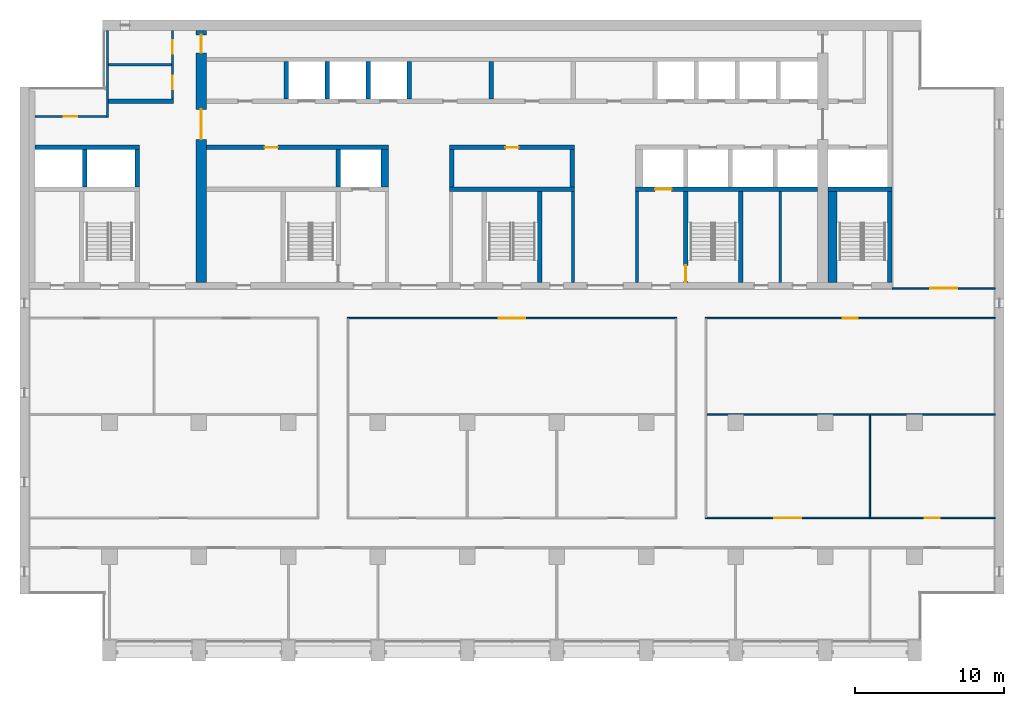
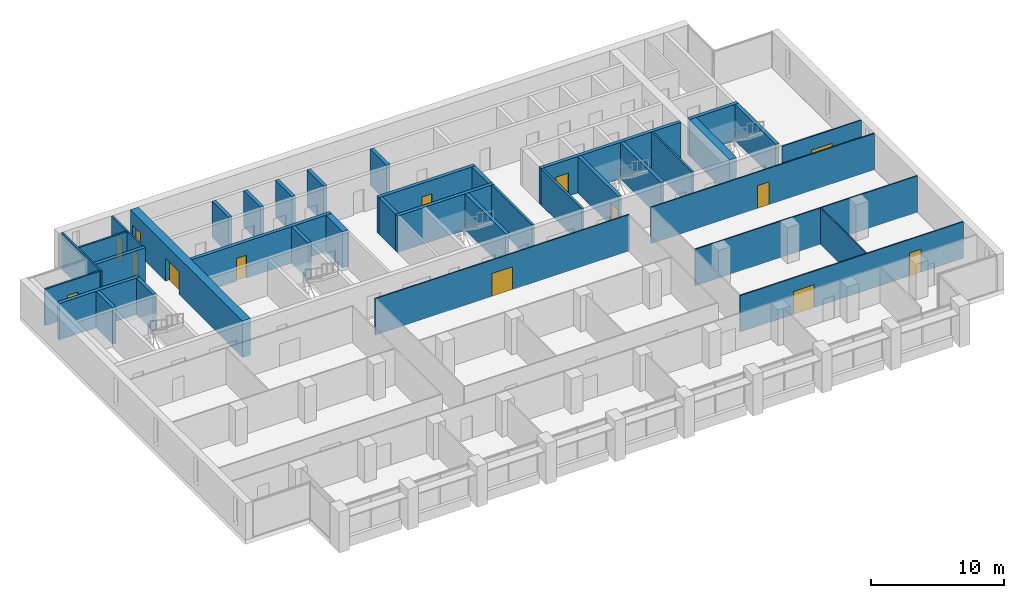
# One storey, part 10 of 17: 37 walls, 14 doors, 14 openings.
"""IFC4 building model written with IfcOpenShell, lengths in metres."""

from ifc_helpers import new_model, si_unit, direction, frame, frame_2d, origin, place, context, subcontext, project, spatial, rectangle, extrude, material, layer, layer_set, type_object, element, fill, save


model = new_model("IFC4")

# Units and contexts
model_context = context("Model", 3, precision=1e-05, world=origin(), true_north=direction((0.0, 1.0)))
body_context = subcontext(model_context, "Body", "Model", "MODEL_VIEW")
ifc_project = project(units=[si_unit("LENGTHUNIT", "METRE"), si_unit("AREAUNIT", "SQUARE_METRE"), si_unit("VOLUMEUNIT", "CUBIC_METRE"), si_unit("PLANEANGLEUNIT", "RADIAN"), si_unit("MASSUNIT", "GRAM", prefix="KILO")], contexts=[model_context])

# Site, building, storey
site_placement = place(None, origin())
site = spatial("IfcSite", under=ifc_project, at=site_placement, CompositionType="ELEMENT")
building_placement = place(site_placement, origin())
building = spatial("IfcBuilding", under=site, at=building_placement, Name="Calvaro Tower", CompositionType="ELEMENT")
storey_placement = place(building_placement, frame((0.0, 0.0, 200.5)))
storey = spatial("IfcBuildingStorey", under=building, at=storey_placement, Name="L50", CompositionType="ELEMENT", Elevation=200.5)

# Walls
ifc_material_1 = material(Name="Blockwork partition", Category="masonry")
ifc_layer_1 = layer(ifc_material_1, 0.14990234375)
ifc_layer_set_1 = layer_set([ifc_layer_1], Name="Blockwork partition")
wall_type_1 = type_object("IfcWallType", Name="Core partition 150 EI 60", PredefinedType="PARTITIONING", material=ifc_layer_set_1)
wall_1_placement = place(storey_placement, frame((57.0, 28.39990234375, 0.0), z_axis=(0.0, 0.0, 1.0), x_axis=(0.0, 1.0, 0.0)))
element("IfcWall", 1, at=wall_1_placement, inside=storey, type_object=wall_type_1, Name="Core partition", PredefinedType="PARTITIONING", context=body_context, shape_type="SweptSolid", body=[
    extrude(rectangle(XDim=6.10009765625, YDim=0.14990234375, at=frame_2d((3.050048828125, 0.0))), origin(), (0.0, 0.0, 1.0), 3.35009765625),
])
wall_2_placement = place(storey_placement, frame((11.949951171875, 43.0, 0.0), z_axis=(0.0, 0.0, 1.0), x_axis=(1.0, 0.0, 0.0)))
element("IfcWall", 2, at=wall_2_placement, inside=storey, type_object=wall_type_1, Name="Core partition", PredefinedType="PARTITIONING", context=body_context, shape_type="SweptSolid", body=[
    extrude(rectangle(XDim=4.199951171875, YDim=0.14990234375, at=frame_2d((2.10009765625, 0.0))), origin(), (0.0, 0.0, 1.0), 3.35009765625),
])

# Wall, openings, doors
ifc_material_2 = material(Name="Blockwork partition", Category="masonry")
ifc_layer_2 = layer(ifc_material_2, 0.14990234375)
ifc_layer_set_2 = layer_set([ifc_layer_2], Name="Blockwork partition")
wall_type_2 = type_object("IfcWallType", Name="Core partition 150 REI 120", PredefinedType="PARTITIONING", material=ifc_layer_set_2)
wall_3_placement = place(storey_placement, frame((16.22509765625, 45.300048828125, 0.0), z_axis=(0.0, 0.0, 1.0), x_axis=(0.0, -1.0, 0.0)))
wall_3 = element("IfcWall", 3, at=wall_3_placement, inside=storey, type_object=wall_type_2, Name="Core partition", PredefinedType="PARTITIONING", context=body_context, shape_type="SweptSolid", body=[
    extrude(rectangle(XDim=4.60009765625, YDim=0.14990234375, at=frame_2d((2.300048828125, 0.0))), origin(), (0.0, 0.0, 1.0), 3.35009765625),
])
opening_1_placement = place(wall_3_placement, frame((3.03759765625, 0.0, 0.0)))
opening_1 = element("IfcOpeningElement", 4, at=opening_1_placement, cuts=wall_3, Name="Opening RD9", PredefinedType="OPENING", context=body_context, shape_type="SweptSolid", body=[
    extrude(rectangle(XDim=0.89990234375, YDim=2.10009765625, at=frame_2d((0.449951171875, 1.050048828125))), frame((0.0, 0.0849609375, 0.0), z_axis=(0.0, -1.0, 0.0), x_axis=(1.0, 0.0, 0.0)), (0.0, 0.0, 1.0), 0.169921875),
])
opening_2_placement = place(wall_3_placement, frame((0.66259765625, 0.0, 0.0)))
opening_2 = element("IfcOpeningElement", 5, at=opening_2_placement, cuts=wall_3, Name="Opening RD9", PredefinedType="OPENING", context=body_context, shape_type="SweptSolid", body=[
    extrude(rectangle(XDim=0.89990234375, YDim=2.10009765625, at=frame_2d((0.449951171875, 1.050048828125))), frame((0.0, 0.0849609375, 0.0), z_axis=(0.0, -1.0, 0.0), x_axis=(1.0, 0.0, 0.0)), (0.0, 0.0, 1.0), 0.169921875),
])
ifc_material_3 = material(Name="Steel door set", Category="steel")
door_type_1 = type_object("IfcDoorType", Name="Room door 900", OperationType="SINGLE_SWING_LEFT", PredefinedType="DOOR", material=ifc_material_3)
door_1_placement = place(opening_1_placement, origin())
door_1 = element("IfcDoor", 6, at=door_1_placement, inside=storey, type_object=door_type_1, Name="Room door", OperationType="SINGLE_SWING_RIGHT", OverallHeight=2.10009765625, OverallWidth=0.89990234375, PredefinedType="DOOR", context=body_context, shape_type="SweptSolid", body=[
    extrude(rectangle(XDim=0.89990234375, YDim=2.10009765625, at=frame_2d((0.449951171875, 1.050048828125))), frame((0.0, 0.02490234375, 0.0), z_axis=(0.0, -1.0, 0.0), x_axis=(1.0, 0.0, 0.0)), (0.0, 0.0, 1.0), 0.050048828125),
])
fill(opening_1, door_1)
door_2_placement = place(opening_2_placement, origin())
door_2 = element("IfcDoor", 7, at=door_2_placement, inside=storey, type_object=door_type_1, Name="Room door", OperationType="SINGLE_SWING_RIGHT", OverallHeight=2.10009765625, OverallWidth=0.89990234375, PredefinedType="DOOR", context=body_context, shape_type="SweptSolid", body=[
    extrude(rectangle(XDim=0.89990234375, YDim=2.10009765625, at=frame_2d((0.449951171875, 1.050048828125))), frame((0.0, 0.02490234375, 0.0), z_axis=(0.0, -1.0, 0.0), x_axis=(1.0, 0.0, 0.0)), (0.0, 0.0, 1.0), 0.050048828125),
])
fill(opening_2, door_2)

# Wall
wall_4_placement = place(storey_placement, frame((11.875, 39.449951171875, 0.0), z_axis=(0.0, 0.0, 1.0), x_axis=(0.0, 1.0, 0.0)))
element("IfcWall", 8, at=wall_4_placement, inside=storey, type_object=wall_type_2, Name="Core partition", PredefinedType="PARTITIONING", context=body_context, shape_type="SweptSolid", body=[
    extrude(rectangle(XDim=5.85009765625, YDim=0.14990234375, at=frame_2d((2.925048828125, 0.0))), origin(), (0.0, 0.0, 1.0), 3.35009765625),
])

# Wall, opening, door
wall_5_placement = place(storey_placement, frame((7.0, 39.52490234375, 0.0), z_axis=(0.0, 0.0, 1.0), x_axis=(1.0, 0.0, 0.0)))
wall_5 = element("IfcWall", 9, at=wall_5_placement, inside=storey, type_object=wall_type_2, Name="Core partition", PredefinedType="PARTITIONING", context=body_context, shape_type="SweptSolid", body=[
    extrude(rectangle(XDim=4.800048828125, YDim=0.14990234375, at=frame_2d((2.39990234375, 0.0))), origin(), (0.0, 0.0, 1.0), 3.35009765625),
])
opening_3_placement = place(wall_5_placement, frame((1.949951171875, 0.0, 0.0)))
opening_3 = element("IfcOpeningElement", 10, at=opening_3_placement, cuts=wall_5, Name="Opening RD9", PredefinedType="OPENING", context=body_context, shape_type="SweptSolid", body=[
    extrude(rectangle(XDim=0.89990234375, YDim=2.10009765625, at=frame_2d((0.449951171875, 1.050048828125))), frame((0.0, 0.0849609375, 0.0), z_axis=(0.0, -1.0, 0.0), x_axis=(1.0, 0.0, 0.0)), (0.0, 0.0, 1.0), 0.169921875),
])
door_3_placement = place(opening_3_placement, origin())
door_3 = element("IfcDoor", 11, at=door_3_placement, inside=storey, type_object=door_type_1, Name="Room door", OperationType="SINGLE_SWING_LEFT", OverallHeight=2.10009765625, OverallWidth=0.89990234375, PredefinedType="DOOR", context=body_context, shape_type="SweptSolid", body=[
    extrude(rectangle(XDim=0.89990234375, YDim=2.10009765625, at=frame_2d((0.449951171875, 1.050048828125))), frame((0.0, 0.02490234375, 0.0), z_axis=(0.0, -1.0, 0.0), x_axis=(1.0, 0.0, 0.0)), (0.0, 0.0, 1.0), 0.050048828125),
])
fill(opening_3, door_3)

# Walls
ifc_material_4 = material(Name="Blockwork partition", Category="masonry")
ifc_layer_3 = layer(ifc_material_4, 0.199951171875)
ifc_layer_set_3 = layer_set([ifc_layer_3], Name="Blockwork partition")
wall_type_3 = type_object("IfcWallType", Name="Core partition 200 REI 120", PredefinedType="PARTITIONING", material=ifc_layer_set_3)
for number, where, z_axis, x_axis, name in (
    (12, (43.10009765625, 28.39990234375, 0.0), (0.0, 0.0, 1.0), (0.0, 1.0, 0.0), "Core partition"),
    (13, (47.39990234375, 28.39990234375, 0.0), (0.0, 0.0, 1.0), (0.0, 1.0, 0.0), "Core partition"),
):
    element("IfcWall", number, at=place(storey_placement, frame(where, z_axis=z_axis, x_axis=x_axis)), inside=storey, type_object=wall_type_3, Name=name, PredefinedType="PARTITIONING", context=body_context, shape_type="SweptSolid", body=[
        extrude(rectangle(XDim=6.10009765625, YDim=0.199951171875, at=frame_2d((3.050048828125, 0.0))), origin(), (0.0, 0.0, 1.0), 3.35009765625),
    ])
ifc_material_5 = material(Name="Blockwork partition", Category="masonry")
ifc_layer_4 = layer(ifc_material_5, 0.300048828125)
ifc_layer_set_4 = layer_set([ifc_layer_4], Name="Blockwork partition")
wall_type_4 = type_object("IfcWallType", Name="Core partition 300 EI 60", PredefinedType="PARTITIONING", material=ifc_layer_set_4)
wall_6_placement = place(storey_placement, frame((37.60009765625, 40.699951171875, 0.0), z_axis=(0.0, 0.0, 1.0), x_axis=(0.0, 1.0, 0.0)))
element("IfcWall", 14, at=wall_6_placement, inside=storey, type_object=wall_type_4, Name="Core partition", PredefinedType="PARTITIONING", context=body_context, shape_type="SweptSolid", body=[
    extrude(rectangle(XDim=2.5, YDim=0.300048828125, at=frame_2d((1.25, 0.0))), origin(), (0.0, 0.0, 1.0), 3.35009765625),
])
ifc_material_6 = material(Name="Blockwork partition", Category="masonry")
ifc_layer_5 = layer(ifc_material_6, 0.300048828125)
ifc_layer_set_5 = layer_set([ifc_layer_5], Name="Blockwork partition")
wall_type_5 = type_object("IfcWallType", Name="Core partition 300 REI 120", PredefinedType="PARTITIONING", material=ifc_layer_set_5)
wall_7_placement = place(storey_placement, frame((11.949951171875, 40.550048828125, 0.0), z_axis=(0.0, 0.0, 1.0), x_axis=(1.0, 0.0, 0.0)))
element("IfcWall", 15, at=wall_7_placement, inside=storey, type_object=wall_type_5, Name="Core partition", PredefinedType="PARTITIONING", context=body_context, shape_type="SweptSolid", body=[
    extrude(rectangle(XDim=4.35009765625, YDim=0.300048828125, at=frame_2d((2.175048828125, 0.0))), origin(), (0.0, 0.0, 1.0), 3.35009765625),
])
ifc_material_7 = material(Name="Concrete C50/60", Category="concrete")
ifc_layer_6 = layer(ifc_material_7, 0.300048828125)
ifc_layer_set_6 = layer_set([ifc_layer_6], Name="Concrete C50/60")
wall_type_6 = type_object("IfcWallType", Name="Core wall C50/60 300", PredefinedType="SHEAR", material=ifc_layer_set_6)
wall_8_placement = place(storey_placement, frame((40.85009765625, 28.39990234375, 0.0), z_axis=(0.0, 0.0, 1.0), x_axis=(0.0, 1.0, 0.0)))
element("IfcWall", 16, at=wall_8_placement, inside=storey, type_object=wall_type_6, Name="Core wall, stair enclosure", PredefinedType="SHEAR", context=body_context, shape_type="SweptSolid", body=[
    extrude(rectangle(XDim=6.10009765625, YDim=0.300048828125, at=frame_2d((3.050048828125, 0.0))), origin(), (0.0, 0.0, 1.0), 3.35009765625),
])

# Wall, opening, door
wall_9_placement = place(storey_placement, frame((50.64990234375, 34.5, 0.0), z_axis=(0.0, 0.0, 1.0), x_axis=(0.0, -1.0, 0.0)))
wall_9 = element("IfcWall", 17, at=wall_9_placement, inside=storey, type_object=wall_type_6, Name="Core wall, stair enclosure", PredefinedType="SHEAR", context=body_context, shape_type="SweptSolid", body=[
    extrude(rectangle(XDim=6.10009765625, YDim=0.300048828125, at=frame_2d((3.050048828125, 0.0))), origin(), (0.0, 0.0, 1.0), 3.35009765625),
])
opening_4_placement = place(wall_9_placement, frame((4.949951171875, 0.0, 0.0)))
opening_4 = element("IfcOpeningElement", 18, at=opening_4_placement, cuts=wall_9, Name="Opening FD11D", PredefinedType="OPENING", context=body_context, shape_type="SweptSolid", body=[
    extrude(rectangle(XDim=1.10009765625, YDim=2.10009765625, at=frame_2d((0.550048828125, 1.050048828125))), frame((0.0, 0.159912109375, 0.0), z_axis=(0.0, -1.0, 0.0), x_axis=(1.0, 0.0, 0.0)), (0.0, 0.0, 1.0), 0.320068359375),
])
ifc_material_8 = material(Name="Steel door set", Category="steel")
door_type_2 = type_object("IfcDoorType", Name="Fire door 1100 FD30S", OperationType="SINGLE_SWING_LEFT", PredefinedType="DOOR", material=ifc_material_8)
door_4_placement = place(opening_4_placement, origin())
door_4 = element("IfcDoor", 19, at=door_4_placement, inside=storey, type_object=door_type_2, Name="Fire door", OperationType="SINGLE_SWING_RIGHT", OverallHeight=2.10009765625, OverallWidth=1.10009765625, PredefinedType="DOOR", context=body_context, shape_type="SweptSolid", body=[
    extrude(rectangle(XDim=1.10009765625, YDim=2.10009765625, at=frame_2d((0.550048828125, 1.050048828125))), frame((0.0, 0.02490234375, 0.0), z_axis=(0.0, -1.0, 0.0), x_axis=(1.0, 0.0, 0.0)), (0.0, 0.0, 1.0), 0.050048828125),
])
fill(opening_4, door_4)

# Walls
for number, where, z_axis, x_axis, name in (
    (20, (54.35009765625, 28.39990234375, 0.0), (0.0, 0.0, 1.0), (0.0, 1.0, 0.0), "Core wall, stair enclosure"),
    (21, (64.35009765625, 28.39990234375, 0.0), (0.0, 0.0, 1.0), (0.0, 1.0, 0.0), "Core wall, stair enclosure"),
):
    element("IfcWall", number, at=place(storey_placement, frame(where, z_axis=z_axis, x_axis=x_axis)), inside=storey, type_object=wall_type_6, Name=name, PredefinedType="SHEAR", context=body_context, shape_type="SweptSolid", body=[
        extrude(rectangle(XDim=6.10009765625, YDim=0.300048828125, at=frame_2d((3.050048828125, 0.0))), origin(), (0.0, 0.0, 1.0), 3.35009765625),
    ])
wall_10_placement = place(storey_placement, frame((34.800048828125, 34.64990234375, 0.0), z_axis=(0.0, 0.0, 1.0), x_axis=(1.0, 0.0, 0.0)))
element("IfcWall", 22, at=wall_10_placement, inside=storey, type_object=wall_type_6, Name="Core wall, lift shaft", PredefinedType="SHEAR", context=body_context, shape_type="SweptSolid", body=[
    extrude(rectangle(XDim=8.39990234375, YDim=0.300048828125, at=frame_2d((4.199951171875, 0.0))), origin(), (0.0, 0.0, 1.0), 3.35009765625),
])

# Wall, opening, door
wall_11_placement = place(storey_placement, frame((47.300048828125, 34.64990234375, 0.0), z_axis=(0.0, 0.0, 1.0), x_axis=(1.0, 0.0, 0.0)))
wall_11 = element("IfcWall", 23, at=wall_11_placement, inside=storey, type_object=wall_type_6, Name="Core wall, lift shaft", PredefinedType="SHEAR", context=body_context, shape_type="SweptSolid", body=[
    extrude(rectangle(XDim=12.199951171875, YDim=0.300048828125, at=frame_2d((6.10009765625, 0.0))), origin(), (0.0, 0.0, 1.0), 3.35009765625),
])
opening_5_placement = place(wall_11_placement, frame((1.300048828125, 0.0, 0.0)))
opening_5 = element("IfcOpeningElement", 24, at=opening_5_placement, cuts=wall_11, Name="Opening FF2", PredefinedType="OPENING", context=body_context, shape_type="SweptSolid", body=[
    extrude(rectangle(XDim=1.10009765625, YDim=2.10009765625, at=frame_2d((0.550048828125, 1.050048828125))), frame((0.0, 0.159912109375, 0.0), z_axis=(0.0, -1.0, 0.0), x_axis=(1.0, 0.0, 0.0)), (0.0, 0.0, 1.0), 0.320068359375),
])
ifc_material_9 = material(Name="Stainless steel", Category="steel")
door_type_3 = type_object("IfcDoorType", Name="Landing door 1100 E 60", OperationType="SLIDING_TO_LEFT", PredefinedType="DOOR", material=ifc_material_9)
door_5_placement = place(opening_5_placement, origin())
door_5 = element("IfcDoor", 25, at=door_5_placement, inside=storey, type_object=door_type_3, Name="Landing door FF2", OperationType="SLIDING_TO_LEFT", OverallHeight=2.10009765625, OverallWidth=1.10009765625, PredefinedType="DOOR", context=body_context, shape_type="SweptSolid", body=[
    extrude(rectangle(XDim=1.10009765625, YDim=2.10009765625, at=frame_2d((0.550048828125, 1.050048828125))), frame((0.0, 0.02490234375, 0.0), z_axis=(0.0, -1.0, 0.0), x_axis=(1.0, 0.0, 0.0)), (0.0, 0.0, 1.0), 0.050048828125),
])
fill(opening_5, door_5)

# Walls
wall_12_placement = place(storey_placement, frame((60.199951171875, 34.64990234375, 0.0), z_axis=(0.0, 0.0, 1.0), x_axis=(1.0, 0.0, 0.0)))
element("IfcWall", 26, at=wall_12_placement, inside=storey, type_object=wall_type_6, Name="Core wall, lift shaft", PredefinedType="SHEAR", context=body_context, shape_type="SweptSolid", body=[
    extrude(rectangle(XDim=4.300048828125, YDim=0.300048828125, at=frame_2d((2.14990234375, 0.0))), origin(), (0.0, 0.0, 1.0), 3.35009765625),
])
wall_13_placement = place(storey_placement, frame((7.0, 37.449951171875, 0.0), z_axis=(0.0, 0.0, 1.0), x_axis=(1.0, 0.0, 0.0)))
element("IfcWall", 27, at=wall_13_placement, inside=storey, type_object=wall_type_6, Name="Core wall, lift shaft", PredefinedType="SHEAR", context=body_context, shape_type="SweptSolid", body=[
    extrude(rectangle(XDim=7.0, YDim=0.300048828125, at=frame_2d((3.5, 0.0))), origin(), (0.0, 0.0, 1.0), 3.35009765625),
])

# Wall, opening, door
wall_14_placement = place(storey_placement, frame((30.699951171875, 37.449951171875, 0.0), z_axis=(0.0, 0.0, 1.0), x_axis=(-1.0, 0.0, 0.0)))
wall_14 = element("IfcWall", 28, at=wall_14_placement, inside=storey, type_object=wall_type_6, Name="Core wall, bay", PredefinedType="SHEAR", context=body_context, shape_type="SweptSolid", body=[
    extrude(rectangle(XDim=12.199951171875, YDim=0.300048828125, at=frame_2d((6.10009765625, 0.0))), origin(), (0.0, 0.0, 1.0), 3.35009765625),
])
opening_6_placement = place(wall_14_placement, frame((7.39990234375, 0.0, 0.0)))
opening_6 = element("IfcOpeningElement", 29, at=opening_6_placement, cuts=wall_14, Name="Opening RD9E", PredefinedType="OPENING", context=body_context, shape_type="SweptSolid", body=[
    extrude(rectangle(XDim=0.89990234375, YDim=2.10009765625, at=frame_2d((0.449951171875, 1.050048828125))), frame((0.0, 0.159912109375, 0.0), z_axis=(0.0, -1.0, 0.0), x_axis=(1.0, 0.0, 0.0)), (0.0, 0.0, 1.0), 0.320068359375),
])
ifc_material_10 = material(Name="Steel door set", Category="steel")
door_type_4 = type_object("IfcDoorType", Name="Room door 900 FD60", OperationType="SINGLE_SWING_LEFT", PredefinedType="DOOR", material=ifc_material_10)
door_6_placement = place(opening_6_placement, origin())
door_6 = element("IfcDoor", 30, at=door_6_placement, inside=storey, type_object=door_type_4, Name="Room door", OperationType="SINGLE_SWING_LEFT", OverallHeight=2.10009765625, OverallWidth=0.89990234375, PredefinedType="DOOR", context=body_context, shape_type="SweptSolid", body=[
    extrude(rectangle(XDim=0.89990234375, YDim=2.10009765625, at=frame_2d((0.449951171875, 1.050048828125))), frame((0.0, 0.02490234375, 0.0), z_axis=(0.0, -1.0, 0.0), x_axis=(1.0, 0.0, 0.0)), (0.0, 0.0, 1.0), 0.050048828125),
])
fill(opening_6, door_6)

wall_15_placement = place(storey_placement, frame((43.199951171875, 37.449951171875, 0.0), z_axis=(0.0, 0.0, 1.0), x_axis=(-1.0, 0.0, 0.0)))
wall_15 = element("IfcWall", 31, at=wall_15_placement, inside=storey, type_object=wall_type_6, Name="Core wall, bay", PredefinedType="SHEAR", context=body_context, shape_type="SweptSolid", body=[
    extrude(rectangle(XDim=8.39990234375, YDim=0.300048828125, at=frame_2d((4.199951171875, 0.0))), origin(), (0.0, 0.0, 1.0), 3.35009765625),
])
opening_7_placement = place(wall_15_placement, frame((3.75, 0.0, 0.0)))
opening_7 = element("IfcOpeningElement", 32, at=opening_7_placement, cuts=wall_15, Name="Opening RD9E", PredefinedType="OPENING", context=body_context, shape_type="SweptSolid", body=[
    extrude(rectangle(XDim=0.89990234375, YDim=2.10009765625, at=frame_2d((0.449951171875, 1.050048828125))), frame((0.0, 0.159912109375, 0.0), z_axis=(0.0, -1.0, 0.0), x_axis=(1.0, 0.0, 0.0)), (0.0, 0.0, 1.0), 0.320068359375),
])
door_7_placement = place(opening_7_placement, origin())
door_7 = element("IfcDoor", 33, at=door_7_placement, inside=storey, type_object=door_type_4, Name="Room door", OperationType="SINGLE_SWING_RIGHT", OverallHeight=2.10009765625, OverallWidth=0.89990234375, PredefinedType="DOOR", context=body_context, shape_type="SweptSolid", body=[
    extrude(rectangle(XDim=0.89990234375, YDim=2.10009765625, at=frame_2d((0.449951171875, 1.050048828125))), frame((0.0, 0.02490234375, 0.0), z_axis=(0.0, -1.0, 0.0), x_axis=(1.0, 0.0, 0.0)), (0.0, 0.0, 1.0), 0.050048828125),
])
fill(opening_7, door_7)

# Walls
for number, where, z_axis, x_axis, name in (
    (34, (27.35009765625, 34.800048828125, 0.0), (0.0, 0.0, 1.0), (0.0, 1.0, 0.0), "Core wall, lift shaft"),
    (35, (34.949951171875, 34.800048828125, 0.0), (0.0, 0.0, 1.0), (0.0, 1.0, 0.0), "Core wall, lift shaft"),
    (36, (43.050048828125, 34.800048828125, 0.0), (0.0, 0.0, 1.0), (0.0, 1.0, 0.0), "Core wall, lift shaft"),
    (37, (13.85009765625, 34.800048828125, 0.0), (0.0, 0.0, 1.0), (0.0, 1.0, 0.0), "Core wall, lift shaft"),
    (38, (23.85009765625, 40.699951171875, 0.0), (0.0, 0.0, 1.0), (0.0, 1.0, 0.0), "Core wall, lift shaft"),
    (39, (26.60009765625, 40.699951171875, 0.0), (0.0, 0.0, 1.0), (0.0, 1.0, 0.0), "Core wall, lift shaft"),
    (40, (29.35009765625, 40.699951171875, 0.0), (0.0, 0.0, 1.0), (0.0, 1.0, 0.0), "Core wall, lift shaft"),
    (41, (32.10009765625, 40.699951171875, 0.0), (0.0, 0.0, 1.0), (0.0, 1.0, 0.0), "Core wall, lift shaft"),
    (42, (10.35009765625, 34.800048828125, 0.0), (0.0, 0.0, 1.0), (0.0, 1.0, 0.0), "Core wall, lift shaft"),
):
    element("IfcWall", number, at=place(storey_placement, frame(where, z_axis=z_axis, x_axis=x_axis)), inside=storey, type_object=wall_type_6, Name=name, PredefinedType="SHEAR", context=body_context, shape_type="SweptSolid", body=[
        extrude(rectangle(XDim=2.5, YDim=0.300048828125, at=frame_2d((1.25, 0.0))), origin(), (0.0, 0.0, 1.0), 3.35009765625),
    ])
ifc_material_11 = material(Name="Concrete C50/60", Category="concrete")
ifc_layer_7 = layer(ifc_material_11, 0.5)
ifc_layer_set_7 = layer_set([ifc_layer_7], Name="Concrete C50/60")
wall_type_7 = type_object("IfcWallType", Name="Core wall C50/60 500", PredefinedType="SHEAR", material=ifc_layer_set_7)
wall_16_placement = place(storey_placement, frame((30.449951171875, 34.800048828125, 0.0), z_axis=(0.0, 0.0, 1.0), x_axis=(0.0, 1.0, 0.0)))
element("IfcWall", 43, at=wall_16_placement, inside=storey, type_object=wall_type_7, Name="Core wall, lift shaft", PredefinedType="SHEAR", context=body_context, shape_type="SweptSolid", body=[
    extrude(rectangle(XDim=2.5, YDim=0.5, at=frame_2d((1.25, 0.0))), origin(), (0.0, 0.0, 1.0), 3.35009765625),
])
ifc_material_12 = material(Name="Concrete C50/60", Category="concrete")
ifc_layer_8 = layer(ifc_material_12, 0.60009765625)
ifc_layer_set_8 = layer_set([ifc_layer_8], Name="Concrete C50/60")
wall_type_8 = type_object("IfcWallType", Name="Core wall C50/60 600", PredefinedType="SHEAR", material=ifc_layer_set_8)
wall_17_placement = place(storey_placement, frame((60.5, 28.39990234375, 0.0), z_axis=(0.0, 0.0, 1.0), x_axis=(0.0, 1.0, 0.0)))
element("IfcWall", 44, at=wall_17_placement, inside=storey, type_object=wall_type_8, Name="Core wall, stair enclosure", PredefinedType="SHEAR", context=body_context, shape_type="SweptSolid", body=[
    extrude(rectangle(XDim=6.10009765625, YDim=0.60009765625, at=frame_2d((3.050048828125, 0.0))), origin(), (0.0, 0.0, 1.0), 3.35009765625),
])

# Wall, openings, doors
ifc_material_13 = material(Name="Concrete C50/60", Category="concrete")
ifc_layer_9 = layer(ifc_material_13, 0.699951171875)
ifc_layer_set_9 = layer_set([ifc_layer_9], Name="Concrete C50/60")
wall_type_9 = type_object("IfcWallType", Name="Core wall C50/60 700", PredefinedType="SHEAR", material=ifc_layer_set_9)
wall_18_placement = place(storey_placement, frame((18.14990234375, 28.39990234375, 0.0), z_axis=(0.0, 0.0, 1.0), x_axis=(0.0, 1.0, 0.0)))
wall_18 = element("IfcWall", 45, at=wall_18_placement, inside=storey, type_object=wall_type_9, Name="Core wall, cross shear wall", PredefinedType="SHEAR", context=body_context, shape_type="SweptSolid", body=[
    extrude(rectangle(XDim=16.900146484375, YDim=0.699951171875, at=frame_2d((8.4501953125, 0.0))), origin(), (0.0, 0.0, 1.0), 3.35009765625),
])
opening_8_placement = place(wall_18_placement, frame((9.60009765625, 0.0, 0.0)))
opening_8 = element("IfcOpeningElement", 46, at=opening_8_placement, cuts=wall_18, Name="Opening DD20D", PredefinedType="OPENING", context=body_context, shape_type="SweptSolid", body=[
    extrude(rectangle(XDim=2.0, YDim=2.10009765625, at=frame_2d((1.0, 1.050048828125))), frame((0.0, 0.35986328125, 0.0), z_axis=(0.0, -1.0, 0.0), x_axis=(1.0, 0.0, 0.0)), (0.0, 0.0, 1.0), 0.719970703125),
])
opening_9_placement = place(wall_18_placement, frame((15.39990234375, 0.0, 0.0)))
opening_9 = element("IfcOpeningElement", 47, at=opening_9_placement, cuts=wall_18, Name="Opening FD12C", PredefinedType="OPENING", context=body_context, shape_type="SweptSolid", body=[
    extrude(rectangle(XDim=1.199951171875, YDim=2.10009765625, at=frame_2d((0.60009765625, 1.050048828125))), frame((0.0, 0.35986328125, 0.0), z_axis=(0.0, -1.0, 0.0), x_axis=(1.0, 0.0, 0.0)), (0.0, 0.0, 1.0), 0.719970703125),
])
ifc_material_14 = material(Name="Steel door set", Category="steel")
door_type_5 = type_object("IfcDoorType", Name="Fire door 1200 FD30", OperationType="SINGLE_SWING_LEFT", PredefinedType="DOOR", material=ifc_material_14)
door_8_placement = place(opening_9_placement, origin())
door_8 = element("IfcDoor", 48, at=door_8_placement, inside=storey, type_object=door_type_5, Name="Fire door", OperationType="SINGLE_SWING_LEFT", OverallHeight=2.10009765625, OverallWidth=1.199951171875, PredefinedType="DOOR", context=body_context, shape_type="SweptSolid", body=[
    extrude(rectangle(XDim=1.199951171875, YDim=2.10009765625, at=frame_2d((0.60009765625, 1.050048828125))), frame((0.0, 0.02490234375, 0.0), z_axis=(0.0, -1.0, 0.0), x_axis=(1.0, 0.0, 0.0)), (0.0, 0.0, 1.0), 0.050048828125),
])
fill(opening_9, door_8)
ifc_material_15 = material(Name="Steel door set", Category="steel")
door_type_6 = type_object("IfcDoorType", Name="Lobby double door 2000 FD30S", OperationType="DOUBLE_DOOR_SINGLE_SWING", PredefinedType="DOOR", material=ifc_material_15)
door_9_placement = place(opening_8_placement, origin())
door_9 = element("IfcDoor", 49, at=door_9_placement, inside=storey, type_object=door_type_6, Name="Lobby double door", OperationType="DOUBLE_DOOR_SINGLE_SWING", OverallHeight=2.10009765625, OverallWidth=2.0, PredefinedType="DOOR", context=body_context, shape_type="SweptSolid", body=[
    extrude(rectangle(XDim=2.0, YDim=2.10009765625, at=frame_2d((1.0, 1.050048828125))), frame((0.0, 0.02490234375, 0.0), z_axis=(0.0, -1.0, 0.0), x_axis=(1.0, 0.0, 0.0)), (0.0, 0.0, 1.0), 0.050048828125),
])
fill(opening_8, door_9)

# Wall, opening, door
ifc_material_16 = material(Name="Plasterboard on steel studs", Category="steel")
ifc_layer_10 = layer(ifc_material_16, 0.10009765625)
ifc_layer_set_10 = layer_set([ifc_layer_10], Name="Plasterboard on steel studs")
wall_type_10 = type_object("IfcWallType", Name="Partition 100", PredefinedType="PARTITIONING", material=ifc_layer_set_10)
wall_19_placement = place(storey_placement, frame((27.949951171875, 26.0, 0.0), z_axis=(0.0, 0.0, 1.0), x_axis=(1.0, 0.0, 0.0)))
wall_19 = element("IfcWall", 50, at=wall_19_placement, inside=storey, type_object=wall_type_10, Name="Partition T29.W009", PredefinedType="PARTITIONING", context=body_context, shape_type="SweptSolid", body=[
    extrude(rectangle(XDim=22.10009765625, YDim=0.10009765625, at=frame_2d((11.050048828125, 0.0))), origin(), (0.0, 0.0, 1.0), 3.35009765625),
])
opening_10_placement = place(wall_19_placement, frame((10.14990234375, 0.0, 0.0)))
opening_10 = element("IfcOpeningElement", 51, at=opening_10_placement, cuts=wall_19, Name="Opening T29.016", PredefinedType="OPENING", context=body_context, shape_type="SweptSolid", body=[
    extrude(rectangle(XDim=1.800048828125, YDim=2.10009765625, at=frame_2d((0.89990234375, 1.050048828125))), frame((0.0, 0.06005859375, 0.0), z_axis=(0.0, -1.0, 0.0), x_axis=(1.0, 0.0, 0.0)), (0.0, 0.0, 1.0), 0.1201171875),
])
ifc_material_17 = material(Name="Timber", Category="wood")
door_type_7 = type_object("IfcDoorType", Name="Internal double door 1800 x 2100", OperationType="DOUBLE_DOOR_SINGLE_SWING", PredefinedType="DOOR", material=ifc_material_17)
door_10_placement = place(opening_10_placement, origin())
door_10 = element("IfcDoor", 52, at=door_10_placement, inside=storey, type_object=door_type_7, Name="Door T29.016", OperationType="DOUBLE_DOOR_SINGLE_SWING", OverallHeight=2.10009765625, OverallWidth=1.800048828125, PredefinedType="DOOR", context=body_context, shape_type="SweptSolid", body=[
    extrude(rectangle(XDim=1.800048828125, YDim=2.10009765625, at=frame_2d((0.89990234375, 1.050048828125))), frame((0.0, 0.02490234375, 0.0), z_axis=(0.0, -1.0, 0.0), x_axis=(1.0, 0.0, 0.0)), (0.0, 0.0, 1.0), 0.050048828125),
])
fill(opening_10, door_10)

wall_20_placement = place(storey_placement, frame((64.5, 28.0, 0.0), z_axis=(0.0, 0.0, 1.0), x_axis=(1.0, 0.0, 0.0)))
wall_20 = element("IfcWall", 53, at=wall_20_placement, inside=storey, type_object=wall_type_10, Name="Partition T29.W011", PredefinedType="PARTITIONING", context=body_context, shape_type="SweptSolid", body=[
    extrude(rectangle(XDim=6.89990234375, YDim=0.10009765625, at=frame_2d((3.449951171875, 0.0))), origin(), (0.0, 0.0, 1.0), 3.35009765625),
])
opening_11_placement = place(wall_20_placement, frame((2.550048828125, 0.0, 0.0)))
opening_11 = element("IfcOpeningElement", 54, at=opening_11_placement, cuts=wall_20, Name="Opening T29.018", PredefinedType="OPENING", context=body_context, shape_type="SweptSolid", body=[
    extrude(rectangle(XDim=1.800048828125, YDim=2.10009765625, at=frame_2d((0.89990234375, 1.050048828125))), frame((0.0, 0.06005859375, 0.0), z_axis=(0.0, -1.0, 0.0), x_axis=(1.0, 0.0, 0.0)), (0.0, 0.0, 1.0), 0.1201171875),
])
door_11_placement = place(opening_11_placement, origin())
door_11 = element("IfcDoor", 55, at=door_11_placement, inside=storey, type_object=door_type_7, Name="Door T29.018", OperationType="DOUBLE_DOOR_SINGLE_SWING", OverallHeight=2.10009765625, OverallWidth=1.800048828125, PredefinedType="DOOR", context=body_context, shape_type="SweptSolid", body=[
    extrude(rectangle(XDim=1.800048828125, YDim=2.10009765625, at=frame_2d((0.89990234375, 1.050048828125))), frame((0.0, 0.02490234375, 0.0), z_axis=(0.0, -1.0, 0.0), x_axis=(1.0, 0.0, 0.0)), (0.0, 0.0, 1.0), 0.050048828125),
])
fill(opening_11, door_11)

# Wall, openings, doors
ifc_material_18 = material(Name="Plasterboard on steel studs", Category="steel")
ifc_layer_11 = layer(ifc_material_18, 0.10009765625)
ifc_layer_set_11 = layer_set([ifc_layer_11], Name="Plasterboard on steel studs")
wall_type_11 = type_object("IfcWallType", Name="Partition 100 REI 120", PredefinedType="PARTITIONING", material=ifc_layer_set_11)
wall_21_placement = place(storey_placement, frame((51.949951171875, 12.60009765625, 0.0), z_axis=(0.0, 0.0, 1.0), x_axis=(1.0, 0.0, 0.0)))
wall_21 = element("IfcWall", 56, at=wall_21_placement, inside=storey, type_object=wall_type_11, Name="Partition T29.W004", PredefinedType="PARTITIONING", context=body_context, shape_type="SweptSolid", body=[
    extrude(rectangle(XDim=19.449951171875, YDim=0.10009765625, at=frame_2d((9.72509765625, 0.0))), origin(), (0.0, 0.0, 1.0), 3.35009765625),
])
opening_12_placement = place(wall_21_placement, frame((4.64990234375, 0.0, 0.0)))
opening_12 = element("IfcOpeningElement", 57, at=opening_12_placement, cuts=wall_21, Name="Opening T29.012", PredefinedType="OPENING", context=body_context, shape_type="SweptSolid", body=[
    extrude(rectangle(XDim=1.800048828125, YDim=2.10009765625, at=frame_2d((0.89990234375, 1.050048828125))), frame((0.0, 0.06005859375, 0.0), z_axis=(0.0, -1.0, 0.0), x_axis=(1.0, 0.0, 0.0)), (0.0, 0.0, 1.0), 0.1201171875),
])
opening_13_placement = place(wall_21_placement, frame((14.75, 0.0, 0.0)))
opening_13 = element("IfcOpeningElement", 58, at=opening_13_placement, cuts=wall_21, Name="Opening T29.013", PredefinedType="OPENING", context=body_context, shape_type="SweptSolid", body=[
    extrude(rectangle(XDim=1.0, YDim=2.10009765625, at=frame_2d((0.5, 1.050048828125))), frame((0.0, 0.06005859375, 0.0), z_axis=(0.0, -1.0, 0.0), x_axis=(1.0, 0.0, 0.0)), (0.0, 0.0, 1.0), 0.1201171875),
])
door_12_placement = place(opening_12_placement, origin())
door_12 = element("IfcDoor", 59, at=door_12_placement, inside=storey, type_object=door_type_7, Name="Door T29.012", OperationType="DOUBLE_DOOR_SINGLE_SWING", OverallHeight=2.10009765625, OverallWidth=1.800048828125, PredefinedType="DOOR", context=body_context, shape_type="SweptSolid", body=[
    extrude(rectangle(XDim=1.800048828125, YDim=2.10009765625, at=frame_2d((0.89990234375, 1.050048828125))), frame((0.0, 0.02490234375, 0.0), z_axis=(0.0, -1.0, 0.0), x_axis=(1.0, 0.0, 0.0)), (0.0, 0.0, 1.0), 0.050048828125),
])
fill(opening_12, door_12)
ifc_material_19 = material(Name="Timber", Category="wood")
door_type_8 = type_object("IfcDoorType", Name="Internal single door 1000 x 2100 FD60", OperationType="SINGLE_SWING_LEFT", PredefinedType="DOOR", material=ifc_material_19)
door_13_placement = place(opening_13_placement, origin())
door_13 = element("IfcDoor", 60, at=door_13_placement, inside=storey, type_object=door_type_8, Name="Door T29.013", OperationType="SINGLE_SWING_RIGHT", OverallHeight=2.10009765625, OverallWidth=1.0, PredefinedType="DOOR", context=body_context, shape_type="SweptSolid", body=[
    extrude(rectangle(XDim=1.0, YDim=2.10009765625, at=frame_2d((0.5, 1.050048828125))), frame((0.0, 0.02490234375, 0.0), z_axis=(0.0, -1.0, 0.0), x_axis=(1.0, 0.0, 0.0)), (0.0, 0.0, 1.0), 0.050048828125),
])
fill(opening_13, door_13)

# Wall
wall_22_placement = place(storey_placement, frame((52.050048828125, 19.550048828125, 0.0), z_axis=(0.0, 0.0, 1.0), x_axis=(1.0, 0.0, 0.0)))
element("IfcWall", 61, at=wall_22_placement, inside=storey, type_object=wall_type_11, Name="Partition T29.W007", PredefinedType="PARTITIONING", context=body_context, shape_type="SweptSolid", body=[
    extrude(rectangle(XDim=19.349853515625, YDim=0.10009765625, at=frame_2d((9.6748046875, 0.0))), origin(), (0.0, 0.0, 1.0), 3.35009765625),
])

# Wall, opening, door
wall_23_placement = place(storey_placement, frame((51.949951171875, 26.0, 0.0), z_axis=(0.0, 0.0, 1.0), x_axis=(1.0, 0.0, 0.0)))
wall_23 = element("IfcWall", 62, at=wall_23_placement, inside=storey, type_object=wall_type_11, Name="Partition T29.W010", PredefinedType="PARTITIONING", context=body_context, shape_type="SweptSolid", body=[
    extrude(rectangle(XDim=19.449951171875, YDim=0.10009765625, at=frame_2d((9.72509765625, 0.0))), origin(), (0.0, 0.0, 1.0), 3.35009765625),
])
opening_14_placement = place(wall_23_placement, frame((9.25, 0.0, 0.0)))
opening_14 = element("IfcOpeningElement", 63, at=opening_14_placement, cuts=wall_23, Name="Opening T29.017", PredefinedType="OPENING", context=body_context, shape_type="SweptSolid", body=[
    extrude(rectangle(XDim=1.0, YDim=2.10009765625, at=frame_2d((0.5, 1.050048828125))), frame((0.0, 0.06005859375, 0.0), z_axis=(0.0, -1.0, 0.0), x_axis=(1.0, 0.0, 0.0)), (0.0, 0.0, 1.0), 0.1201171875),
])
door_14_placement = place(opening_14_placement, origin())
door_14 = element("IfcDoor", 64, at=door_14_placement, inside=storey, type_object=door_type_8, Name="Door T29.017", OperationType="SINGLE_SWING_RIGHT", OverallHeight=2.10009765625, OverallWidth=1.0, PredefinedType="DOOR", context=body_context, shape_type="SweptSolid", body=[
    extrude(rectangle(XDim=1.0, YDim=2.10009765625, at=frame_2d((0.5, 1.050048828125))), frame((0.0, 0.02490234375, 0.0), z_axis=(0.0, -1.0, 0.0), x_axis=(1.0, 0.0, 0.0)), (0.0, 0.0, 1.0), 0.050048828125),
])
fill(opening_14, door_14)

# Wall
wall_24_placement = place(storey_placement, frame((63.0, 12.64990234375, 0.0), z_axis=(0.0, 0.0, 1.0), x_axis=(0.0, 1.0, 0.0)))
element("IfcWall", 65, at=wall_24_placement, inside=storey, type_object=wall_type_11, Name="Partition T29.W025", PredefinedType="PARTITIONING", context=body_context, shape_type="SweptSolid", body=[
    extrude(rectangle(XDim=6.85009765625, YDim=0.10009765625, at=frame_2d((3.425048828125, 0.0))), origin(), (0.0, 0.0, 1.0), 3.35009765625),
])

save(model, "model.ifc")
